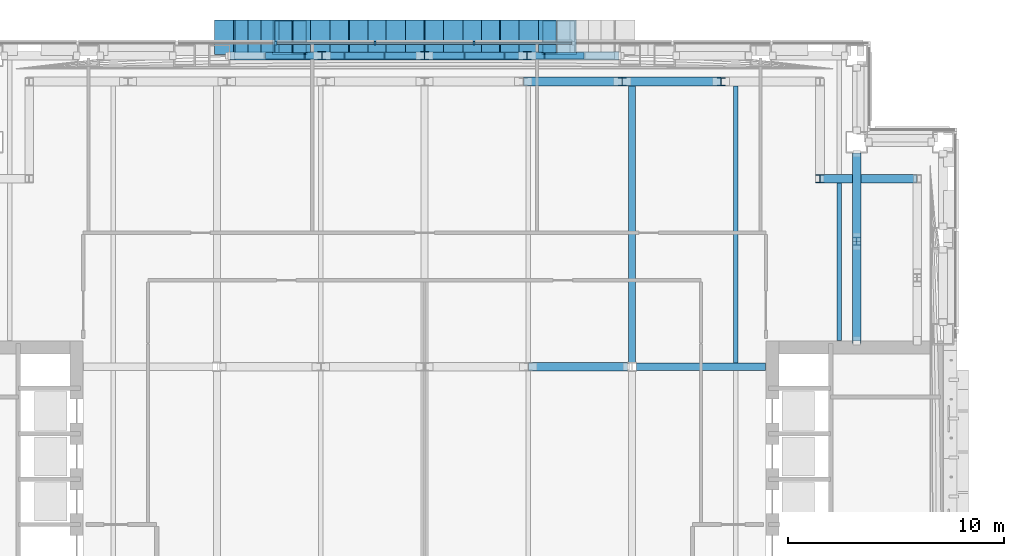
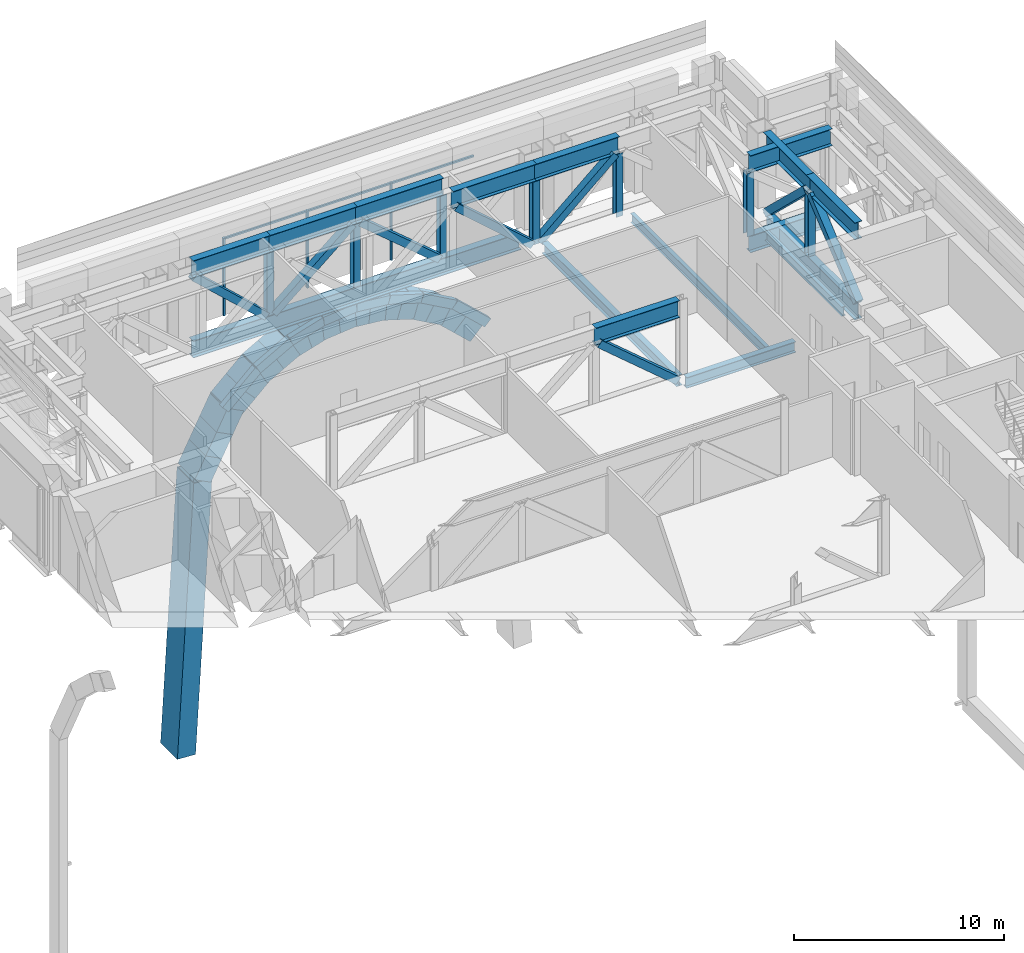
# One storey, part 9 of 39: 53 members, 12 beams, 1 element without a shape of its own.
"""IFC4 building model written with IfcOpenShell, lengths in metres."""

from ifc_helpers import new_model, si_unit, direction, frame, origin, origin_2d, place, context, subcontext, project, spatial, rectangle, hollow_rectangle, i_section, extrude, material, material_profile, profile_set, type_object, element, aggregate, save


model = new_model("IFC4")

# Units and contexts
model_context = context("Model", 3, precision=1e-05, world=origin(), true_north=direction((0.0, 1.0)))
body_context = subcontext(model_context, "Body", "Model", "MODEL_VIEW")
ifc_project = project(units=[si_unit("LENGTHUNIT", "METRE"), si_unit("AREAUNIT", "SQUARE_METRE"), si_unit("VOLUMEUNIT", "CUBIC_METRE"), si_unit("PLANEANGLEUNIT", "RADIAN"), si_unit("MASSUNIT", "GRAM", prefix="KILO")], contexts=[model_context])

# Site, building, storey
site_placement = place(None, origin())
site = spatial("IfcSite", under=ifc_project, at=site_placement, CompositionType="ELEMENT")
building_placement = place(site_placement, origin())
building = spatial("IfcBuilding", under=site, at=building_placement, Name="Cobrizo Arcos Hotel Tower", CompositionType="ELEMENT")
storey_placement = place(building_placement, frame((0.0, 0.0, 84.5)))
storey = spatial("IfcBuildingStorey", under=building, at=storey_placement, Name="L20", CompositionType="ELEMENT", Elevation=84.5)

# Beams
ifc_material_1 = material(Name="Steel ASTM A572 Grade 50", Category="steel")
ifc_material_profile_1 = material_profile(ifc_material_1, hollow_rectangle(XDim=0.300048828125, YDim=0.5, WallThickness=0.02001953125, at=origin_2d()), Name="BOX 300X500X20")
ifc_profile_set_1 = profile_set([ifc_material_profile_1], Name="Steel ASTM A572 Grade 50")
beam_type_1 = type_object("IfcBeamType", Name="BOX 300X500X20 arch rib", PredefinedType="BEAM", material=ifc_profile_set_1)
beam_1_placement = place(storey_placement, frame((-7.199951171875, 24.0, -4.9462890625), z_axis=(0.73088053178, 0.0, 0.682505419952), x_axis=(0.0, 1.0, 0.0)))
element("IfcBeam", 1, at=beam_1_placement, inside=storey, type_object=beam_type_1, Name="Arch rib AR1, arch A, north face, no. 02", PredefinedType="BEAM", context=body_context, shape_type="SweptSolid", body=[
    extrude(hollow_rectangle(XDim=0.300048828125, YDim=0.5, WallThickness=0.02001953125, at=origin_2d()), origin(), (0.0, 0.0, 1.0), 2.462890625),
])
beam_2_placement = place(storey_placement, frame((-5.39990234375, 24.0, -3.265380859375), z_axis=(0.873832790044, 0.0, 0.486226547037), x_axis=(0.0, 1.0, 0.0)))
element("IfcBeam", 2, at=beam_2_placement, inside=storey, type_object=beam_type_1, Name="Arch rib AR1, arch A, north face, no. 03", PredefinedType="BEAM", context=body_context, shape_type="SweptSolid", body=[
    extrude(hollow_rectangle(XDim=0.300048828125, YDim=0.5, WallThickness=0.02001953125, at=origin_2d()), origin(), (0.0, 0.0, 1.0), 2.0595703125),
])
beam_3_placement = place(storey_placement, frame((-3.60009765625, 24.0, -2.263916015625), z_axis=(0.956599999026, 0.0, 0.291404258485), x_axis=(0.0, 1.0, 0.0)))
element("IfcBeam", 3, at=beam_3_placement, inside=storey, type_object=beam_type_1, Name="Arch rib AR1, arch A, north face, no. 04", PredefinedType="BEAM", context=body_context, shape_type="SweptSolid", body=[
    extrude(hollow_rectangle(XDim=0.300048828125, YDim=0.5, WallThickness=0.02001953125, at=origin_2d()), origin(), (0.0, 0.0, 1.0), 1.8818359375),
])
for number, where, z_axis, x_axis, name in (
    (4, (-1.800048828125, 24.0, -1.715576171875), (0.995278769418, 0.0, 0.097057566148), (0.0, 1.0, 0.0), "Arch rib AR1, arch A, north face, no. 05"),
    (5, (0.0, 24.0, -1.5400390625), (0.995278769418, 0.0, -0.097057566148), (0.0, 1.0, 0.0), "Arch rib AR1, arch A, north face, no. 06"),
):
    element("IfcBeam", number, at=place(storey_placement, frame(where, z_axis=z_axis, x_axis=x_axis)), inside=storey, type_object=beam_type_1, Name=name, PredefinedType="BEAM", context=body_context, shape_type="SweptSolid", body=[
        extrude(hollow_rectangle(XDim=0.300048828125, YDim=0.5, WallThickness=0.02001953125, at=origin_2d()), origin(), (0.0, 0.0, 1.0), 1.80859375),
    ])
beam_4_placement = place(storey_placement, frame((1.800048828125, 24.0, -1.715576171875), z_axis=(0.956599999026, 0.0, -0.291404258485), x_axis=(0.0, 1.0, 0.0)))
element("IfcBeam", 6, at=beam_4_placement, inside=storey, type_object=beam_type_1, Name="Arch rib AR1, arch A, north face, no. 07", PredefinedType="BEAM", context=body_context, shape_type="SweptSolid", body=[
    extrude(hollow_rectangle(XDim=0.300048828125, YDim=0.5, WallThickness=0.02001953125, at=origin_2d()), origin(), (0.0, 0.0, 1.0), 1.8818359375),
])
beam_5_placement = place(storey_placement, frame((3.60009765625, 24.0, -2.263916015625), z_axis=(0.873832790044, 0.0, -0.486226547037), x_axis=(0.0, 1.0, 0.0)))
element("IfcBeam", 7, at=beam_5_placement, inside=storey, type_object=beam_type_1, Name="Arch rib AR1, arch A, north face, no. 08", PredefinedType="BEAM", context=body_context, shape_type="SweptSolid", body=[
    extrude(hollow_rectangle(XDim=0.300048828125, YDim=0.5, WallThickness=0.02001953125, at=origin_2d()), origin(), (0.0, 0.0, 1.0), 2.0595703125),
])
beam_6_placement = place(storey_placement, frame((5.39990234375, 24.0, -3.265380859375), z_axis=(0.73088053178, 0.0, -0.682505419952), x_axis=(0.0, 1.0, 0.0)))
element("IfcBeam", 8, at=beam_6_placement, inside=storey, type_object=beam_type_1, Name="Arch rib AR1, arch A, north face, no. 09", PredefinedType="BEAM", context=body_context, shape_type="SweptSolid", body=[
    extrude(hollow_rectangle(XDim=0.300048828125, YDim=0.5, WallThickness=0.02001953125, at=origin_2d()), origin(), (0.0, 0.0, 1.0), 2.462890625),
])

# Curtain wall, members
ifc_material_2 = material(Name="Aluminium 6063-T6 anodised bronze", Category="aluminium")
curtain_wall_type = type_object("IfcCurtainWallType", Name="CW-D plant louvre wall", PredefinedType="NOTDEFINED", material=ifc_material_2)
curtain_wall_placement = place(storey_placement, origin())
curtain_wall = element("IfcCurtainWall", 9, at=curtain_wall_placement, inside=storey, type_object=curtain_wall_type, Name="CW-D L20 N face", PredefinedType="NOTDEFINED")
ifc_material_profile_2 = material_profile(ifc_material_2, rectangle(XDim=0.14990234375, YDim=0.10009765625, at=origin_2d()), Name="CW-D mullion 150x100")
ifc_profile_set_2 = profile_set([ifc_material_profile_2], Name="Aluminium 6063-T6 anodised bronze")
member_type_1 = type_object("IfcMemberType", Name="CW-D mullion 150x100", PredefinedType="MULLION", material=ifc_profile_set_2)
member_1_placement = place(storey_placement, frame((2.29443359375, 24.574951171875, 0.0), z_axis=(0.0, 0.0, 1.0), x_axis=(0.0, 1.0, 0.0)))
member_1 = element("IfcMember", 10, at=member_1_placement, type_object=member_type_1, Name="CW-D mullion 5", PredefinedType="MULLION", context=body_context, shape_type="SweptSolid", body=[
    extrude(rectangle(XDim=0.14990234375, YDim=0.10009765625, at=origin_2d()), origin(), (0.0, 0.0, 1.0), 4.5),
])
member_2_placement = place(storey_placement, frame((-2.29443359375, 24.574951171875, 0.0), z_axis=(0.0, 0.0, 1.0), x_axis=(0.0, 1.0, 0.0)))
member_2 = element("IfcMember", 11, at=member_2_placement, type_object=member_type_1, Name="CW-D mullion 6", PredefinedType="MULLION", context=body_context, shape_type="SweptSolid", body=[
    extrude(rectangle(XDim=0.14990234375, YDim=0.10009765625, at=origin_2d()), origin(), (0.0, 0.0, 1.0), 4.5),
])
member_3_placement = place(storey_placement, frame((-6.88330078125, 24.574951171875, 0.0), z_axis=(0.0, 0.0, 1.0), x_axis=(0.0, 1.0, 0.0)))
member_3 = element("IfcMember", 12, at=member_3_placement, type_object=member_type_1, Name="CW-D mullion 7", PredefinedType="MULLION", context=body_context, shape_type="SweptSolid", body=[
    extrude(rectangle(XDim=0.14990234375, YDim=0.10009765625, at=origin_2d()), origin(), (0.0, 0.0, 1.0), 4.5),
])
ifc_material_profile_3 = material_profile(ifc_material_2, rectangle(XDim=0.10009765625, YDim=0.10009765625, at=origin_2d()), Name="CW-D transom 100x100")
ifc_profile_set_3 = profile_set([ifc_material_profile_3], Name="Aluminium 6063-T6 anodised bronze")
member_type_2 = type_object("IfcMemberType", Name="CW-D transom 100x100", PredefinedType="USERDEFINED", material=ifc_profile_set_3)
member_4_placement = place(storey_placement, frame((6.833251953125, 24.574951171875, 4.449951171875), z_axis=(-1.0, 0.0, 0.0), x_axis=(0.0, -1.0, 0.0)))
member_4 = element("IfcMember", 13, at=member_4_placement, type_object=member_type_2, Name="CW-D transom 835", ObjectType="TRANSOM", PredefinedType="USERDEFINED", context=body_context, shape_type="SweptSolid", body=[
    extrude(rectangle(XDim=0.10009765625, YDim=0.10009765625, at=origin_2d()), origin(), (0.0, 0.0, 1.0), 4.48876953125),
])
member_5_placement = place(storey_placement, frame((2.244384765625, 24.574951171875, 4.449951171875), z_axis=(-1.0, 0.0, 0.0), x_axis=(0.0, -1.0, 0.0)))
member_5 = element("IfcMember", 14, at=member_5_placement, type_object=member_type_2, Name="CW-D transom 836", ObjectType="TRANSOM", PredefinedType="USERDEFINED", context=body_context, shape_type="SweptSolid", body=[
    extrude(rectangle(XDim=0.10009765625, YDim=0.10009765625, at=origin_2d()), origin(), (0.0, 0.0, 1.0), 4.48876953125),
])
member_6_placement = place(storey_placement, frame((-2.344482421875, 24.574951171875, 4.449951171875), z_axis=(-1.0, 0.0, 0.0), x_axis=(0.0, -1.0, 0.0)))
member_6 = element("IfcMember", 15, at=member_6_placement, type_object=member_type_2, Name="CW-D transom 837", ObjectType="TRANSOM", PredefinedType="USERDEFINED", context=body_context, shape_type="SweptSolid", body=[
    extrude(rectangle(XDim=0.10009765625, YDim=0.10009765625, at=origin_2d()), origin(), (0.0, 0.0, 1.0), 4.48876953125),
])
aggregate(curtain_wall, [member_1, member_2, member_3, member_4, member_5, member_6])

# Members
ifc_material_3 = material(Name="Steel ASTM A500 Grade C", Category="steel")
ifc_material_profile_4 = material_profile(ifc_material_3, hollow_rectangle(XDim=0.406494140625, YDim=0.406494140625, WallThickness=0.014892578125, at=origin_2d()), Name="HSS16X16X5/8")
ifc_profile_set_4 = profile_set([ifc_material_profile_4], Name="Steel ASTM A500 Grade C")
member_type_3 = type_object("IfcMemberType", Name="HSS16X16X5/8 truss diagonal", PredefinedType="BRACE", material=ifc_profile_set_4)
for number, where, z_axis, x_axis, name in (
    (16, (4.550048828125, 24.0, -0.300048828125), (-0.765241871015, 0.0, 0.643742867025), (0.0, -1.0, 0.0), "Belt truss diagonal TD1, L20, no. 020"),
    (17, (-0.199951171875, 24.0, 3.359375), (-0.765241871015, 0.0, -0.643742867025), (0.0, -1.0, 0.0), "Belt truss diagonal TD1, L20, no. 021"),
):
    element("IfcMember", number, at=place(storey_placement, frame(where, z_axis=z_axis, x_axis=x_axis)), inside=storey, type_object=member_type_3, Name=name, PredefinedType="BRACE", context=body_context, shape_type="SweptSolid", body=[
        extrude(hollow_rectangle(XDim=0.406494140625, YDim=0.406494140625, WallThickness=0.014892578125, at=origin_2d()), origin(), (0.0, 0.0, 1.0), 5.6845703125),
    ])
member_7_placement = place(storey_placement, frame((-4.949951171875, 24.0, -0.300048828125), z_axis=(-0.735279996006, 0.0, 0.677763474579), x_axis=(0.0, -1.0, 0.0)))
element("IfcMember", 18, at=member_7_placement, inside=storey, type_object=member_type_3, Name="Belt truss diagonal TD1, L20, no. 022", PredefinedType="BRACE", context=body_context, shape_type="SweptSolid", body=[
    extrude(hollow_rectangle(XDim=0.406494140625, YDim=0.406494140625, WallThickness=0.014892578125, at=origin_2d()), origin(), (0.0, 0.0, 1.0), 5.399169921875),
])
member_8_placement = place(storey_placement, frame((13.52490234375, 22.800048828125, 3.359375), z_axis=(-0.751998872625, 0.0, -0.659164391917), x_axis=(0.0, -1.0, 0.0)))
element("IfcMember", 19, at=member_8_placement, inside=storey, type_object=member_type_3, Name="Belt truss diagonal TD1, L20, no. 050", PredefinedType="BRACE", context=body_context, shape_type="SweptSolid", body=[
    extrude(hollow_rectangle(XDim=0.406494140625, YDim=0.406494140625, WallThickness=0.014892578125, at=origin_2d()), origin(), (0.0, 0.0, 1.0), 5.551513671875),
])
member_9_placement = place(storey_placement, frame((8.949951171875, 22.800048828125, -0.300048828125), z_axis=(-0.752017979383, 0.0, 0.65914259359), x_axis=(0.0, -1.0, 0.0)))
element("IfcMember", 20, at=member_9_placement, inside=storey, type_object=member_type_3, Name="Belt truss diagonal TD1, L20, no. 051", PredefinedType="BRACE", context=body_context, shape_type="SweptSolid", body=[
    extrude(hollow_rectangle(XDim=0.406494140625, YDim=0.406494140625, WallThickness=0.014892578125, at=origin_2d()), origin(), (0.0, 0.0, 1.0), 5.5517578125),
])
member_10_placement = place(storey_placement, frame((20.0, 10.800048828125, -0.300048828125), z_axis=(0.0, 0.768836361842, 0.639445579162), x_axis=(-1.0, 0.0, 0.0)))
element("IfcMember", 21, at=member_10_placement, inside=storey, type_object=member_type_3, Name="Outrigger diagonal TD1, L20, no. 004", PredefinedType="BRACE", context=body_context, shape_type="SweptSolid", body=[
    extrude(hollow_rectangle(XDim=0.406494140625, YDim=0.406494140625, WallThickness=0.014892578125, at=origin_2d()), origin(), (0.0, 0.0, 1.0), 5.722900390625),
])
member_11_placement = place(storey_placement, frame((20.0, 15.60009765625, 3.359375), z_axis=(0.0, 0.722105393419, -0.691783059054), x_axis=(-1.0, 0.0, 0.0)))
element("IfcMember", 22, at=member_11_placement, inside=storey, type_object=member_type_3, Name="Outrigger diagonal TD1, L20, no. 005", PredefinedType="BRACE", context=body_context, shape_type="SweptSolid", body=[
    extrude(hollow_rectangle(XDim=0.406494140625, YDim=0.406494140625, WallThickness=0.014892578125, at=origin_2d()), origin(), (0.0, 0.0, 1.0), 5.289794921875),
])
member_12_placement = place(storey_placement, frame((5.0, 9.60009765625, 3.359375), z_axis=(0.762696810588, 0.0, -0.646756194496), x_axis=(0.0, 1.0, 0.0)))
element("IfcMember", 23, at=member_12_placement, inside=storey, type_object=member_type_3, Name="Outrigger diagonal TD1, L20, no. 024", PredefinedType="BRACE", context=body_context, shape_type="SweptSolid", body=[
    extrude(hollow_rectangle(XDim=0.406494140625, YDim=0.406494140625, WallThickness=0.014892578125, at=origin_2d()), origin(), (0.0, 0.0, 1.0), 5.658203125),
])
ifc_material_4 = material(Name="Steel ASTM A572 Grade 50 verdigris painted", Category="steel")
ifc_material_profile_5 = material_profile(ifc_material_4, hollow_rectangle(XDim=1.60009765625, YDim=1.0, WallThickness=0.050048828125, at=origin_2d()), Name="PF-2 arch ring frame box 1600x1000x50")
ifc_profile_set_5 = profile_set([ifc_material_profile_5], Name="Steel ASTM A572 Grade 50 verdigris painted")
member_type_4 = type_object("IfcMemberType", Name="PF-2 arch ring frame box 1600x1000x50", PredefinedType="USERDEFINED", material=ifc_profile_set_5)
member_13_placement = place(storey_placement, frame((-8.33251953125, 24.85009765625, -8.80224609375), z_axis=(0.455947548902, 0.0, 0.890006647531), x_axis=(0.0, 1.0, 0.0)))
element("IfcMember", 24, at=member_13_placement, inside=storey, type_object=member_type_4, Name="A ring frame lintel N1", ObjectType="PORTAL FRAME", PredefinedType="USERDEFINED", context=body_context, shape_type="SweptSolid", body=[
    extrude(hollow_rectangle(XDim=1.60009765625, YDim=1.0, WallThickness=0.050048828125, at=origin_2d()), origin(), (0.0, 0.0, 1.0), 1.316162109375),
])
member_14_placement = place(storey_placement, frame((-7.732421875, 24.85009765625, -7.630859375), z_axis=(0.455875869806, 0.0, 0.890043364859), x_axis=(0.0, 1.0, 0.0)))
element("IfcMember", 25, at=member_14_placement, inside=storey, type_object=member_type_4, Name="A ring frame lintel N2", ObjectType="PORTAL FRAME", PredefinedType="USERDEFINED", context=body_context, shape_type="SweptSolid", body=[
    extrude(hollow_rectangle(XDim=1.60009765625, YDim=1.0, WallThickness=0.050048828125, at=origin_2d()), origin(), (0.0, 0.0, 1.0), 1.31591796875),
])
member_15_placement = place(storey_placement, frame((-7.132568359375, 24.85009765625, -6.459716796875), z_axis=(0.455872286365, 0.0, 0.89004520027), x_axis=(0.0, 1.0, 0.0)))
element("IfcMember", 26, at=member_15_placement, inside=storey, type_object=member_type_4, Name="A ring frame lintel N3", ObjectType="PORTAL FRAME", PredefinedType="USERDEFINED", context=body_context, shape_type="SweptSolid", body=[
    extrude(hollow_rectangle(XDim=1.60009765625, YDim=1.0, WallThickness=0.050048828125, at=origin_2d()), origin(), (0.0, 0.0, 1.0), 1.31640625),
])
for number, where, z_axis, x_axis, name in (
    (27, (-6.68798828125, 24.85009765625, -5.494384765625), (0.730883805112, 0.0, 0.682501914594), (0.0, 1.0, 0.0), "A ring frame lintel N4"),
    (28, (-5.7880859375, 24.85009765625, -4.654052734375), (0.730883805112, 0.0, 0.682501914594), (0.0, 1.0, 0.0), "A ring frame lintel N5"),
):
    element("IfcMember", number, at=place(storey_placement, frame(where, z_axis=z_axis, x_axis=x_axis)), inside=storey, type_object=member_type_4, Name=name, ObjectType="PORTAL FRAME", PredefinedType="USERDEFINED", context=body_context, shape_type="SweptSolid", body=[
        extrude(hollow_rectangle(XDim=1.60009765625, YDim=1.0, WallThickness=0.050048828125, at=origin_2d()), origin(), (0.0, 0.0, 1.0), 1.231201171875),
    ])
member_16_placement = place(storey_placement, frame((-5.035400390625, 24.85009765625, -3.9208984375), z_axis=(0.873832790044, 0.0, 0.486226547037), x_axis=(0.0, 1.0, 0.0)))
element("IfcMember", 29, at=member_16_placement, inside=storey, type_object=member_type_4, Name="A ring frame lintel N6", ObjectType="PORTAL FRAME", PredefinedType="USERDEFINED", context=body_context, shape_type="SweptSolid", body=[
    extrude(hollow_rectangle(XDim=1.60009765625, YDim=1.0, WallThickness=0.050048828125, at=origin_2d()), origin(), (0.0, 0.0, 1.0), 1.02978515625),
])
member_17_placement = place(storey_placement, frame((-4.135498046875, 24.85009765625, -3.420166015625), z_axis=(0.87388881937, 0.0, 0.486125839037), x_axis=(0.0, 1.0, 0.0)))
element("IfcMember", 30, at=member_17_placement, inside=storey, type_object=member_type_4, Name="A ring frame lintel N7", ObjectType="PORTAL FRAME", PredefinedType="USERDEFINED", context=body_context, shape_type="SweptSolid", body=[
    extrude(hollow_rectangle(XDim=1.60009765625, YDim=1.0, WallThickness=0.050048828125, at=origin_2d()), origin(), (0.0, 0.0, 1.0), 1.030029296875),
])
member_18_placement = place(storey_placement, frame((-3.38134765625, 24.85009765625, -2.9814453125), z_axis=(0.956588979605, 0.0, 0.29144042976), x_axis=(0.0, 1.0, 0.0)))
element("IfcMember", 31, at=member_18_placement, inside=storey, type_object=member_type_4, Name="A ring frame lintel N8", ObjectType="PORTAL FRAME", PredefinedType="USERDEFINED", context=body_context, shape_type="SweptSolid", body=[
    extrude(hollow_rectangle(XDim=1.60009765625, YDim=1.0, WallThickness=0.050048828125, at=origin_2d()), origin(), (0.0, 0.0, 1.0), 0.940673828125),
])
member_19_placement = place(storey_placement, frame((-2.4814453125, 24.85009765625, -2.707275390625), z_axis=(0.956611014345, 0.0, 0.291368095772), x_axis=(0.0, 1.0, 0.0)))
element("IfcMember", 32, at=member_19_placement, inside=storey, type_object=member_type_4, Name="A ring frame lintel N9", ObjectType="PORTAL FRAME", PredefinedType="USERDEFINED", context=body_context, shape_type="SweptSolid", body=[
    extrude(hollow_rectangle(XDim=1.60009765625, YDim=1.0, WallThickness=0.050048828125, at=origin_2d()), origin(), (0.0, 0.0, 1.0), 0.94091796875),
])
member_20_placement = place(storey_placement, frame((-1.727294921875, 24.85009765625, -2.462158203125), z_axis=(0.995266995553, 0.0, 0.097178225766), x_axis=(0.0, 1.0, 0.0)))
element("IfcMember", 33, at=member_20_placement, inside=storey, type_object=member_type_4, Name="A ring frame lintel N10", ObjectType="PORTAL FRAME", PredefinedType="USERDEFINED", context=body_context, shape_type="SweptSolid", body=[
    extrude(hollow_rectangle(XDim=1.60009765625, YDim=1.0, WallThickness=0.050048828125, at=origin_2d()), origin(), (0.0, 0.0, 1.0), 0.904541015625),
])
for number, where, z_axis, x_axis, name in (
    (34, (-0.8271484375, 24.85009765625, -2.374267578125), (0.99529053212, 0.0, 0.096936869515), (0.0, 1.0, 0.0), "A ring frame lintel N11"),
    (35, (-0.07275390625, 24.85009765625, -2.28662109375), (0.99529053212, 0.0, -0.096936869515), (0.0, 1.0, 0.0), "A ring frame lintel N12"),
):
    element("IfcMember", number, at=place(storey_placement, frame(where, z_axis=z_axis, x_axis=x_axis)), inside=storey, type_object=member_type_4, Name=name, ObjectType="PORTAL FRAME", PredefinedType="USERDEFINED", context=body_context, shape_type="SweptSolid", body=[
        extrude(hollow_rectangle(XDim=1.60009765625, YDim=1.0, WallThickness=0.050048828125, at=origin_2d()), origin(), (0.0, 0.0, 1.0), 0.904052734375),
    ])
member_21_placement = place(storey_placement, frame((0.8271484375, 24.85009765625, -2.374267578125), z_axis=(0.995266995553, 0.0, -0.097178225766), x_axis=(0.0, 1.0, 0.0)))
element("IfcMember", 36, at=member_21_placement, inside=storey, type_object=member_type_4, Name="A ring frame lintel N13", ObjectType="PORTAL FRAME", PredefinedType="USERDEFINED", context=body_context, shape_type="SweptSolid", body=[
    extrude(hollow_rectangle(XDim=1.60009765625, YDim=1.0, WallThickness=0.050048828125, at=origin_2d()), origin(), (0.0, 0.0, 1.0), 0.904541015625),
])
member_22_placement = place(storey_placement, frame((1.581298828125, 24.85009765625, -2.43310546875), z_axis=(0.956611014345, 0.0, -0.291368095772), x_axis=(0.0, 1.0, 0.0)))
element("IfcMember", 37, at=member_22_placement, inside=storey, type_object=member_type_4, Name="A ring frame lintel N14", ObjectType="PORTAL FRAME", PredefinedType="USERDEFINED", context=body_context, shape_type="SweptSolid", body=[
    extrude(hollow_rectangle(XDim=1.60009765625, YDim=1.0, WallThickness=0.050048828125, at=origin_2d()), origin(), (0.0, 0.0, 1.0), 0.94091796875),
])
member_23_placement = place(storey_placement, frame((2.4814453125, 24.85009765625, -2.707275390625), z_axis=(0.956588979605, 0.0, -0.29144042976), x_axis=(0.0, 1.0, 0.0)))
element("IfcMember", 38, at=member_23_placement, inside=storey, type_object=member_type_4, Name="A ring frame lintel N15", ObjectType="PORTAL FRAME", PredefinedType="USERDEFINED", context=body_context, shape_type="SweptSolid", body=[
    extrude(hollow_rectangle(XDim=1.60009765625, YDim=1.0, WallThickness=0.050048828125, at=origin_2d()), origin(), (0.0, 0.0, 1.0), 0.940673828125),
])
member_24_placement = place(storey_placement, frame((3.2353515625, 24.85009765625, -2.91943359375), z_axis=(0.87388881937, 0.0, -0.486125839037), x_axis=(0.0, 1.0, 0.0)))
element("IfcMember", 39, at=member_24_placement, inside=storey, type_object=member_type_4, Name="A ring frame lintel N16", ObjectType="PORTAL FRAME", PredefinedType="USERDEFINED", context=body_context, shape_type="SweptSolid", body=[
    extrude(hollow_rectangle(XDim=1.60009765625, YDim=1.0, WallThickness=0.050048828125, at=origin_2d()), origin(), (0.0, 0.0, 1.0), 1.030029296875),
])
member_25_placement = place(storey_placement, frame((4.135498046875, 24.85009765625, -3.420166015625), z_axis=(0.873832790044, 0.0, -0.486226547037), x_axis=(0.0, 1.0, 0.0)))
element("IfcMember", 40, at=member_25_placement, inside=storey, type_object=member_type_4, Name="A ring frame lintel N17", ObjectType="PORTAL FRAME", PredefinedType="USERDEFINED", context=body_context, shape_type="SweptSolid", body=[
    extrude(hollow_rectangle(XDim=1.60009765625, YDim=1.0, WallThickness=0.050048828125, at=origin_2d()), origin(), (0.0, 0.0, 1.0), 1.02978515625),
])
for number, where, z_axis, x_axis, name in (
    (41, (4.88818359375, 24.85009765625, -3.813720703125), (0.730883805112, 0.0, -0.682501914594), (0.0, 1.0, 0.0), "A ring frame lintel N18"),
    (42, (5.7880859375, 24.85009765625, -4.654052734375), (0.730883805112, 0.0, -0.682501914594), (0.0, 1.0, 0.0), "A ring frame lintel N19"),
):
    element("IfcMember", number, at=place(storey_placement, frame(where, z_axis=z_axis, x_axis=x_axis)), inside=storey, type_object=member_type_4, Name=name, ObjectType="PORTAL FRAME", PredefinedType="USERDEFINED", context=body_context, shape_type="SweptSolid", body=[
        extrude(hollow_rectangle(XDim=1.60009765625, YDim=1.0, WallThickness=0.050048828125, at=origin_2d()), origin(), (0.0, 0.0, 1.0), 1.231201171875),
    ])
member_26_placement = place(storey_placement, frame((-9.232421875, 24.85009765625, -24.5), z_axis=(0.057232855112, 0.0, 0.998360856753), x_axis=(0.0, 1.0, 0.0)))
element("IfcMember", 43, at=member_26_placement, inside=storey, type_object=member_type_4, Name="A ring frame post NW", ObjectType="PORTAL FRAME", PredefinedType="USERDEFINED", context=body_context, shape_type="SweptSolid", body=[
    extrude(hollow_rectangle(XDim=1.60009765625, YDim=1.0, WallThickness=0.050048828125, at=origin_2d()), origin(), (0.0, 0.0, 1.0), 15.7236328125),
])
ifc_material_5 = material(Name="Steel ASTM A992 Grade 50", Category="steel")
ifc_material_profile_6 = material_profile(ifc_material_5, i_section(OverallWidth=0.373291015625, OverallDepth=0.373291015625, WebThickness=0.016357421875, FlangeThickness=0.026123046875, at=origin_2d()), Name="W14X132")
ifc_profile_set_6 = profile_set([ifc_material_profile_6], Name="Steel ASTM A992 Grade 50")
member_type_5 = type_object("IfcMemberType", Name="W14X132 truss post", PredefinedType="POST", material=ifc_profile_set_6)
for number, where, z_axis, x_axis, name in (
    (44, (4.75, 24.0, -0.300048828125), (0.0, 0.0, 1.0), (1.0, 0.0, 0.0), "Truss post TP1, L20, no. 004"),
    (45, (0.0, 24.0, -0.300048828125), (0.0, 0.0, 1.0), (1.0, 0.0, 0.0), "Truss post TP1, L20, no. 005"),
    (46, (-4.75, 24.0, -0.300048828125), (0.0, 0.0, 1.0), (1.0, 0.0, 0.0), "Truss post TP1, L20, no. 006"),
    (47, (18.300048828125, 18.300048828125, -0.300048828125), (0.0, 0.0, 1.0), (1.0, 0.0, 0.0), "Truss post TP1, L20, no. 021"),
    (48, (13.72509765625, 22.800048828125, -0.300048828125), (0.0, 0.0, 1.0), (1.0, 0.0, 0.0), "Truss post TP1, L20, no. 023"),
    (49, (9.14990234375, 22.800048828125, -0.300048828125), (0.0, 0.0, 1.0), (1.0, 0.0, 0.0), "Truss post TP1, L20, no. 024"),
    (50, (20.0, 15.39990234375, -0.300048828125), (0.0, 0.0, 1.0), (1.0, 0.0, 0.0), "Truss post TP1, L20, no. 038"),
):
    element("IfcMember", number, at=place(storey_placement, frame(where, z_axis=z_axis, x_axis=x_axis)), inside=storey, type_object=member_type_5, Name=name, PredefinedType="POST", context=body_context, shape_type="SweptSolid", body=[
        extrude(i_section(OverallWidth=0.373291015625, OverallDepth=0.373291015625, WebThickness=0.016357421875, FlangeThickness=0.026123046875, at=origin_2d()), origin(), (0.0, 0.0, 1.0), 3.659423828125),
    ])

# Beams
ifc_material_profile_7 = material_profile(ifc_material_5, i_section(OverallWidth=0.209228515625, OverallDepth=0.533447265625, WebThickness=0.01025390625, FlangeThickness=0.015625, at=origin_2d()), Name="W21X62")
ifc_profile_set_7 = profile_set([ifc_material_profile_7], Name="Steel ASTM A992 Grade 50")
beam_type_2 = type_object("IfcBeamType", Name="W21X62 joist", PredefinedType="JOIST", material=ifc_profile_set_7)
beam_7_placement = place(storey_placement, frame((14.39990234375, 9.763916015625, -0.566650390625), z_axis=(0.0, 1.0, 0.0), x_axis=(-1.0, 0.0, 0.0)))
element("IfcBeam", 51, at=beam_7_placement, inside=storey, type_object=beam_type_2, Name="Floor joist J1, L20, no. 020", PredefinedType="JOIST", context=body_context, shape_type="SweptSolid", body=[
    extrude(i_section(OverallWidth=0.209228515625, OverallDepth=0.533447265625, WebThickness=0.01025390625, FlangeThickness=0.015625, at=origin_2d()), origin(), (0.0, 0.0, 1.0), 12.835693359375),
])
beam_8_placement = place(storey_placement, frame((19.199951171875, 10.81005859375, -0.566650390625), z_axis=(0.0, 1.0, 0.0), x_axis=(-1.0, 0.0, 0.0)))
element("IfcBeam", 52, at=beam_8_placement, inside=storey, type_object=beam_type_2, Name="Floor joist J1, L20, no. 023", PredefinedType="JOIST", context=body_context, shape_type="SweptSolid", body=[
    extrude(i_section(OverallWidth=0.209228515625, OverallDepth=0.533447265625, WebThickness=0.01025390625, FlangeThickness=0.015625, at=origin_2d()), origin(), (0.0, 0.0, 1.0), 7.28955078125),
])
ifc_material_profile_8 = material_profile(ifc_material_5, i_section(OverallWidth=0.32763671875, OverallDepth=0.622314453125, WebThickness=0.015380859375, FlangeThickness=0.0244140625, at=origin_2d()), Name="W24X131")
ifc_profile_set_8 = profile_set([ifc_material_profile_8], Name="Steel ASTM A992 Grade 50")
beam_type_3 = type_object("IfcBeamType", Name="W24X131 girder", PredefinedType="BEAM", material=ifc_profile_set_8)
beam_9_placement = place(storey_placement, frame((9.804443359375, 9.60009765625, -0.611083984375), z_axis=(1.0, 0.0, 0.0), x_axis=(0.0, 1.0, 0.0)))
element("IfcBeam", 53, at=beam_9_placement, inside=storey, type_object=beam_type_3, Name="Floor girder G1, L20, no. 006", PredefinedType="BEAM", context=body_context, shape_type="SweptSolid", body=[
    extrude(i_section(OverallWidth=0.32763671875, OverallDepth=0.622314453125, WebThickness=0.015380859375, FlangeThickness=0.0244140625, at=origin_2d()), origin(), (0.0, 0.0, 1.0), 5.985595703125),
])
beam_10_placement = place(storey_placement, frame((9.60009765625, 9.804443359375, -0.611083984375), z_axis=(0.0, 1.0, 0.0), x_axis=(-1.0, 0.0, 0.0)))
element("IfcBeam", 54, at=beam_10_placement, inside=storey, type_object=beam_type_3, Name="Floor girder G1, L20, no. 018", PredefinedType="BEAM", context=body_context, shape_type="SweptSolid", body=[
    extrude(i_section(OverallWidth=0.32763671875, OverallDepth=0.622314453125, WebThickness=0.015380859375, FlangeThickness=0.0244140625, at=origin_2d()), origin(), (0.0, 0.0, 1.0), 12.795166015625),
])

# Members
ifc_material_profile_9 = material_profile(ifc_material_5, i_section(OverallWidth=0.4013671875, OverallDepth=0.990478515625, WebThickness=0.0166015625, FlangeThickness=0.025390625, at=origin_2d()), Name="W40X215")
ifc_profile_set_9 = profile_set([ifc_material_profile_9], Name="Steel ASTM A992 Grade 50")
member_type_6 = type_object("IfcMemberType", Name="W40X215 belt truss chord", PredefinedType="CHORD", material=ifc_profile_set_9)
member_27_placement = place(storey_placement, frame((9.0, 24.0, -0.79541015625), z_axis=(-1.0, 0.0, 0.0), x_axis=(0.0, -1.0, 0.0)))
element("IfcMember", 55, at=member_27_placement, inside=storey, type_object=member_type_6, Name="Belt truss bottom chord TC1, L20, no. 016", PredefinedType="CHORD", context=body_context, shape_type="SweptSolid", body=[
    extrude(i_section(OverallWidth=0.4013671875, OverallDepth=0.990478515625, WebThickness=0.0166015625, FlangeThickness=0.025390625, at=origin_2d()), origin(), (0.0, 0.0, 1.0), 18.0),
])
for number, where, z_axis, x_axis, name in (
    (56, (4.75, 24.0, 3.854736328125), (-1.0, 0.0, 0.0), (0.0, -1.0, 0.0), "Belt truss top chord TC1, L20, no. 020"),
    (57, (0.0, 24.0, 3.854736328125), (-1.0, 0.0, 0.0), (0.0, -1.0, 0.0), "Belt truss top chord TC1, L20, no. 021"),
):
    element("IfcMember", number, at=place(storey_placement, frame(where, z_axis=z_axis, x_axis=x_axis)), inside=storey, type_object=member_type_6, Name=name, PredefinedType="CHORD", context=body_context, shape_type="SweptSolid", body=[
        extrude(i_section(OverallWidth=0.4013671875, OverallDepth=0.990478515625, WebThickness=0.0166015625, FlangeThickness=0.025390625, at=origin_2d()), origin(), (0.0, 0.0, 1.0), 4.75),
    ])
member_28_placement = place(storey_placement, frame((-4.75, 24.0, 3.854736328125), z_axis=(-1.0, 0.0, 0.0), x_axis=(0.0, -1.0, 0.0)))
element("IfcMember", 58, at=member_28_placement, inside=storey, type_object=member_type_6, Name="Belt truss top chord TC1, L20, no. 022", PredefinedType="CHORD", context=body_context, shape_type="SweptSolid", body=[
    extrude(i_section(OverallWidth=0.4013671875, OverallDepth=0.990478515625, WebThickness=0.0166015625, FlangeThickness=0.025390625, at=origin_2d()), origin(), (0.0, 0.0, 1.0), 4.25),
])
for number, where, z_axis, x_axis, name in (
    (59, (22.800048828125, 18.300048828125, -0.79541015625), (-1.0, 0.0, 0.0), (0.0, -1.0, 0.0), "Belt truss bottom chord TC1, L20, no. 032"),
    (60, (22.800048828125, 18.300048828125, 3.854736328125), (-1.0, 0.0, 0.0), (0.0, -1.0, 0.0), "Belt truss top chord TC1, L20, no. 047"),
):
    element("IfcMember", number, at=place(storey_placement, frame(where, z_axis=z_axis, x_axis=x_axis)), inside=storey, type_object=member_type_6, Name=name, PredefinedType="CHORD", context=body_context, shape_type="SweptSolid", body=[
        extrude(i_section(OverallWidth=0.4013671875, OverallDepth=0.990478515625, WebThickness=0.0166015625, FlangeThickness=0.025390625, at=origin_2d()), origin(), (0.0, 0.0, 1.0), 4.5),
    ])
member_29_placement = place(storey_placement, frame((13.72509765625, 22.800048828125, 3.854736328125), z_axis=(-1.0, 0.0, 0.0), x_axis=(0.0, -1.0, 0.0)))
element("IfcMember", 61, at=member_29_placement, inside=storey, type_object=member_type_6, Name="Belt truss top chord TC1, L20, no. 050", PredefinedType="CHORD", context=body_context, shape_type="SweptSolid", body=[
    extrude(i_section(OverallWidth=0.4013671875, OverallDepth=0.990478515625, WebThickness=0.0166015625, FlangeThickness=0.025390625, at=origin_2d()), origin(), (0.0, 0.0, 1.0), 4.5751953125),
])
member_30_placement = place(storey_placement, frame((9.14990234375, 22.800048828125, 3.854736328125), z_axis=(-1.0, 0.0, 0.0), x_axis=(0.0, -1.0, 0.0)))
element("IfcMember", 62, at=member_30_placement, inside=storey, type_object=member_type_6, Name="Belt truss top chord TC1, L20, no. 051", PredefinedType="CHORD", context=body_context, shape_type="SweptSolid", body=[
    extrude(i_section(OverallWidth=0.4013671875, OverallDepth=0.990478515625, WebThickness=0.0166015625, FlangeThickness=0.025390625, at=origin_2d()), origin(), (0.0, 0.0, 1.0), 4.574951171875),
])
member_31_placement = place(storey_placement, frame((20.0, 10.800048828125, -0.79541015625), z_axis=(0.0, 1.0, 0.0), x_axis=(-1.0, 0.0, 0.0)))
element("IfcMember", 63, at=member_31_placement, inside=storey, type_object=member_type_6, Name="Outrigger bottom chord TC1, L20, no. 003", PredefinedType="CHORD", context=body_context, shape_type="SweptSolid", body=[
    extrude(i_section(OverallWidth=0.4013671875, OverallDepth=0.990478515625, WebThickness=0.0166015625, FlangeThickness=0.025390625, at=origin_2d()), origin(), (0.0, 0.0, 1.0), 8.699951171875),
])
member_32_placement = place(storey_placement, frame((20.0, 10.800048828125, 3.854736328125), z_axis=(0.0, 1.0, 0.0), x_axis=(-1.0, 0.0, 0.0)))
element("IfcMember", 64, at=member_32_placement, inside=storey, type_object=member_type_6, Name="Outrigger top chord TC1, L20, no. 004", PredefinedType="CHORD", context=body_context, shape_type="SweptSolid", body=[
    extrude(i_section(OverallWidth=0.4013671875, OverallDepth=0.990478515625, WebThickness=0.0166015625, FlangeThickness=0.025390625, at=origin_2d()), origin(), (0.0, 0.0, 1.0), 4.599853515625),
])
member_33_placement = place(storey_placement, frame((20.0, 15.39990234375, 3.854736328125), z_axis=(0.0, 1.0, 0.0), x_axis=(-1.0, 0.0, 0.0)))
element("IfcMember", 65, at=member_33_placement, inside=storey, type_object=member_type_6, Name="Outrigger top chord TC1, L20, no. 005", PredefinedType="CHORD", context=body_context, shape_type="SweptSolid", body=[
    extrude(i_section(OverallWidth=0.4013671875, OverallDepth=0.990478515625, WebThickness=0.0166015625, FlangeThickness=0.025390625, at=origin_2d()), origin(), (0.0, 0.0, 1.0), 4.10009765625),
])
member_34_placement = place(storey_placement, frame((4.800048828125, 9.60009765625, 3.854736328125), z_axis=(1.0, 0.0, 0.0), x_axis=(0.0, 1.0, 0.0)))
element("IfcMember", 66, at=member_34_placement, inside=storey, type_object=member_type_6, Name="Outrigger top chord TC1, L20, no. 024", PredefinedType="CHORD", context=body_context, shape_type="SweptSolid", body=[
    extrude(i_section(OverallWidth=0.4013671875, OverallDepth=0.990478515625, WebThickness=0.0166015625, FlangeThickness=0.025390625, at=origin_2d()), origin(), (0.0, 0.0, 1.0), 4.595458984375),
])

save(model, "model.ifc")
